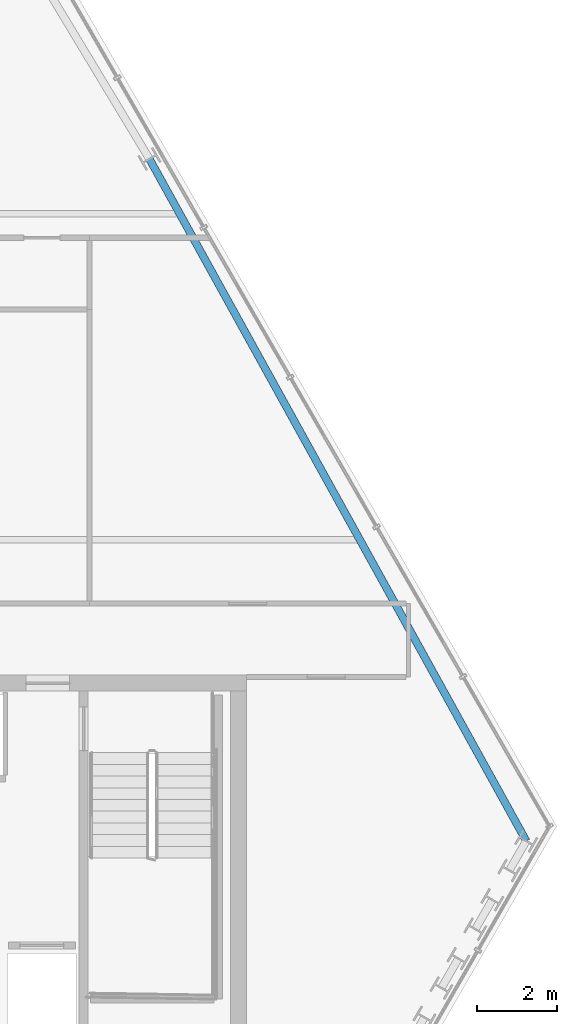
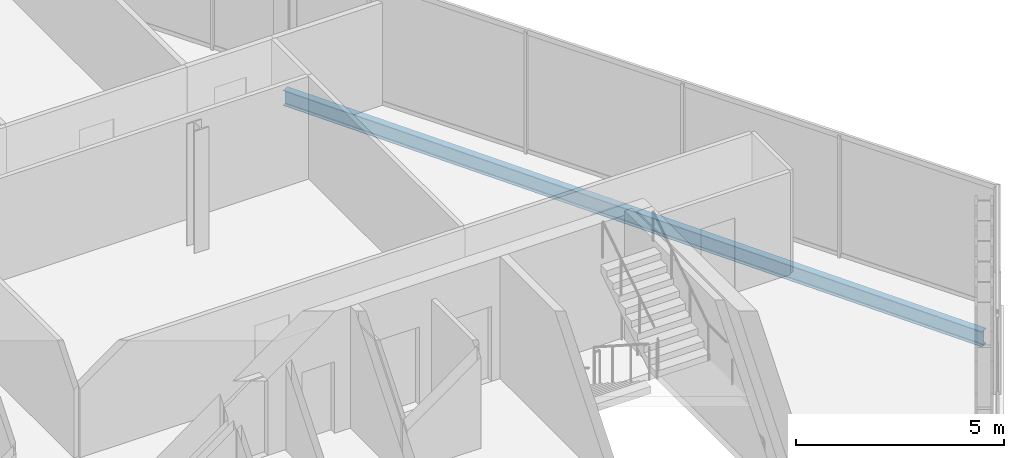
# One storey, part 16 of 29: 1 beam.
"""IFC4 building model written with IfcOpenShell, lengths in metres."""

from ifc_helpers import new_model, si_unit, direction, frame, origin, origin_2d, place, context, subcontext, project, spatial, i_section, extrude, material, material_profile, profile_set, type_object, element, save


model = new_model("IFC4")

# Units and contexts
model_context = context("Model", 3, precision=1e-05, world=origin(), true_north=direction((0.0, 1.0)))
body_context = subcontext(model_context, "Body", "Model", "MODEL_VIEW")
ifc_project = project(units=[si_unit("LENGTHUNIT", "METRE"), si_unit("AREAUNIT", "SQUARE_METRE"), si_unit("VOLUMEUNIT", "CUBIC_METRE"), si_unit("PLANEANGLEUNIT", "RADIAN"), si_unit("MASSUNIT", "GRAM", prefix="KILO")], contexts=[model_context])

# Site, building, storey
site_placement = place(None, origin())
site = spatial("IfcSite", under=ifc_project, at=site_placement, CompositionType="ELEMENT")
building_placement = place(site_placement, origin())
building = spatial("IfcBuilding", under=site, at=building_placement, Name="Ndaravel Arena Tower", CompositionType="ELEMENT")
storey_placement = place(building_placement, frame((0.0, 0.0, 233.199951171875)))
storey = spatial("IfcBuildingStorey", under=building, at=storey_placement, Name="L56", CompositionType="ELEMENT", Elevation=233.199951171875)

# Beam
ifc_material = material(Name="Steel S355", Category="steel")
ifc_material_profile = material_profile(ifc_material, i_section(OverallWidth=0.18994140625, OverallDepth=0.449951171875, WebThickness=0.009521484375, FlangeThickness=0.0146484375, FilletRadius=0.02099609375, at=origin_2d()), Name="IPE 450")
ifc_profile_set = profile_set([ifc_material_profile], Name="Steel S355")
beam_type = type_object("IfcBeamType", Name="BM-SPAN-IPE450", PredefinedType="SPANDREL", material=ifc_profile_set)
beam_placement = place(storey_placement, frame((64.58544921875, 11.025146484375, -0.445068359375), z_axis=(-0.483575124361, 0.875302861357, 0.0), x_axis=(-0.875302861357, -0.483575124361, 0.0)))
element("IfcBeam", 1, at=beam_placement, inside=storey, type_object=beam_type, Name="L56 Perimeter Spandrel Beam SP-09", PredefinedType="SPANDREL", context=body_context, shape_type="SweptSolid", body=[
    extrude(i_section(OverallWidth=0.18994140625, OverallDepth=0.449951171875, WebThickness=0.009521484375, FlangeThickness=0.0146484375, FilletRadius=0.02099609375, at=origin_2d()), origin(), (0.0, 0.0, 1.0), 19.600830078125),
])

save(model, "model.ifc")
